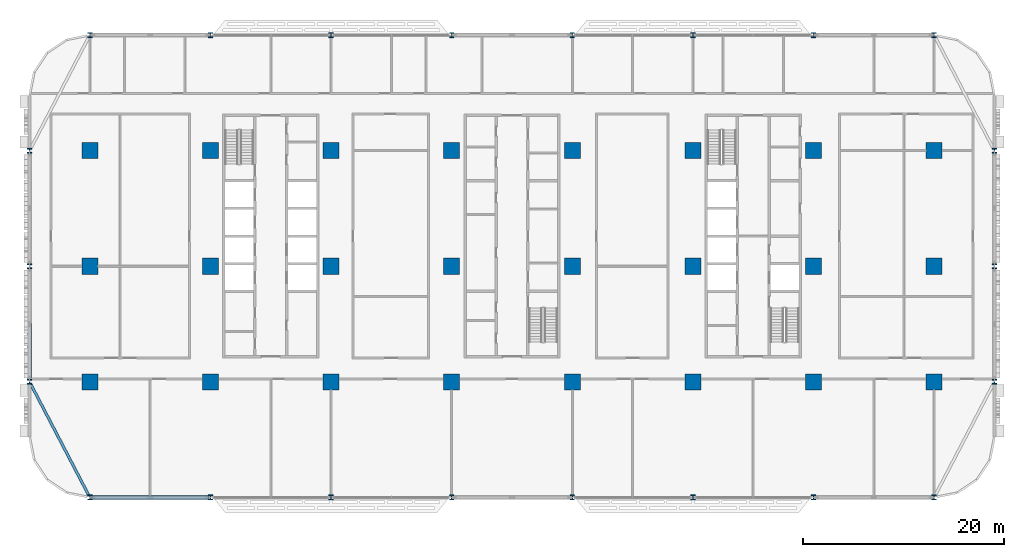
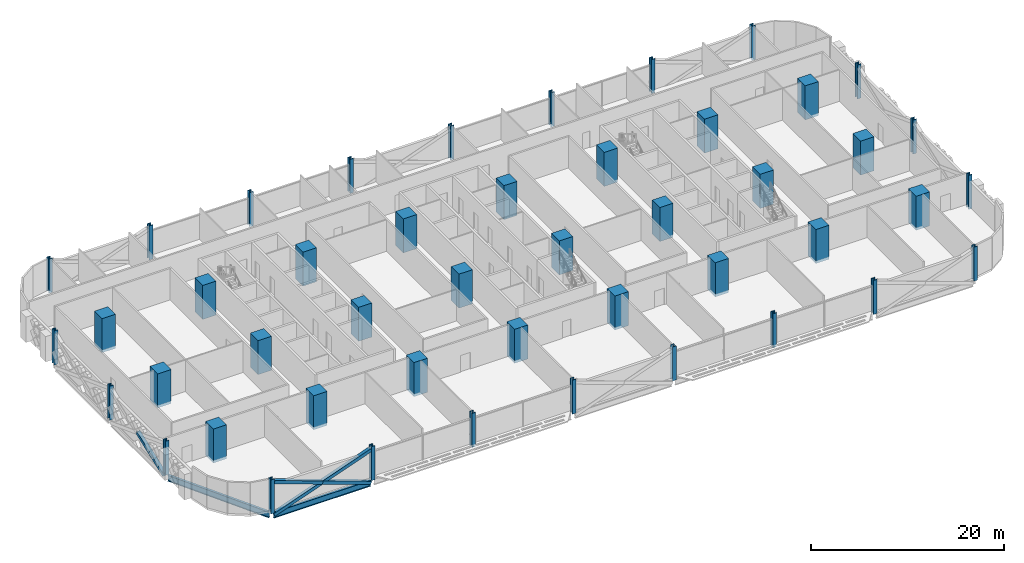
# One storey, part 1 of 28: 46 columns, 4 members, 2 beams.
"""IFC4 building model written with IfcOpenShell, lengths in metres."""

from ifc_helpers import new_model, si_unit, direction, frame, origin, origin_2d, place, context, subcontext, project, spatial, rectangle, hollow_rectangle, i_section, extrude, material, material_profile, profile_set, type_object, element, save


model = new_model("IFC4")

# Units and contexts
model_context = context("Model", 3, precision=1e-05, world=origin(), true_north=direction((0.0, 1.0)))
body_context = subcontext(model_context, "Body", "Model", "MODEL_VIEW")
ifc_project = project(units=[si_unit("LENGTHUNIT", "METRE"), si_unit("AREAUNIT", "SQUARE_METRE"), si_unit("VOLUMEUNIT", "CUBIC_METRE"), si_unit("PLANEANGLEUNIT", "RADIAN"), si_unit("MASSUNIT", "GRAM", prefix="KILO")], contexts=[model_context])

# Site, building, storey
site_placement = place(None, origin())
site = spatial("IfcSite", under=ifc_project, at=site_placement, CompositionType="ELEMENT")
building_placement = place(site_placement, origin())
building = spatial("IfcBuilding", under=site, at=building_placement, Name="Mahtab Terrace Research Tower", CompositionType="ELEMENT")
storey_placement = place(building_placement, frame((0.0, 0.0, 33.0)))
storey = spatial("IfcBuildingStorey", under=building, at=storey_placement, Name="L07", CompositionType="ELEMENT", Elevation=33.0)

# Columns
ifc_material_1 = material(Name="Concrete C70/85", Category="concrete")
ifc_material_profile_1 = material_profile(ifc_material_1, rectangle(XDim=1.60009765625, YDim=1.60009765625, at=origin_2d()), Name="RC column 1600x1600")
ifc_profile_set_1 = profile_set([ifc_material_profile_1], Name="Concrete C70/85")
column_type_1 = type_object("IfcColumnType", Name="RC column 1600x1600", PredefinedType="COLUMN", material=ifc_profile_set_1)
for number, where, z_axis, x_axis, name in (
    (1, (-42.0, -11.5, -0.340087890625), (0.0, 0.0, 1.0), (1.0, 0.0, 0.0), "Column RC-1A L07"),
    (2, (-42.0, 0.0, -0.340087890625), (0.0, 0.0, 1.0), (1.0, 0.0, 0.0), "Column RC-1B L07"),
    (3, (-42.0, 11.5, -0.340087890625), (0.0, 0.0, 1.0), (1.0, 0.0, 0.0), "Column RC-1C L07"),
    (4, (-30.0, -11.5, -0.340087890625), (0.0, 0.0, 1.0), (1.0, 0.0, 0.0), "Column RC-2A L07"),
    (5, (-30.0, 0.0, -0.340087890625), (0.0, 0.0, 1.0), (1.0, 0.0, 0.0), "Column RC-2B L07"),
    (6, (-30.0, 11.5, -0.340087890625), (0.0, 0.0, 1.0), (1.0, 0.0, 0.0), "Column RC-2C L07"),
    (7, (-18.0, -11.5, -0.340087890625), (0.0, 0.0, 1.0), (1.0, 0.0, 0.0), "Column RC-3A L07"),
    (8, (-18.0, 0.0, -0.340087890625), (0.0, 0.0, 1.0), (1.0, 0.0, 0.0), "Column RC-3B L07"),
    (9, (-18.0, 11.5, -0.340087890625), (0.0, 0.0, 1.0), (1.0, 0.0, 0.0), "Column RC-3C L07"),
    (10, (-6.0, -11.5, -0.340087890625), (0.0, 0.0, 1.0), (1.0, 0.0, 0.0), "Column RC-4A L07"),
    (11, (-6.0, 0.0, -0.340087890625), (0.0, 0.0, 1.0), (1.0, 0.0, 0.0), "Column RC-4B L07"),
    (12, (-6.0, 11.5, -0.340087890625), (0.0, 0.0, 1.0), (1.0, 0.0, 0.0), "Column RC-4C L07"),
    (13, (6.0, -11.5, -0.340087890625), (0.0, 0.0, 1.0), (1.0, 0.0, 0.0), "Column RC-5A L07"),
    (14, (6.0, 0.0, -0.340087890625), (0.0, 0.0, 1.0), (1.0, 0.0, 0.0), "Column RC-5B L07"),
    (15, (6.0, 11.5, -0.340087890625), (0.0, 0.0, 1.0), (1.0, 0.0, 0.0), "Column RC-5C L07"),
    (16, (18.0, -11.5, -0.340087890625), (0.0, 0.0, 1.0), (1.0, 0.0, 0.0), "Column RC-6A L07"),
    (17, (18.0, 0.0, -0.340087890625), (0.0, 0.0, 1.0), (1.0, 0.0, 0.0), "Column RC-6B L07"),
    (18, (18.0, 11.5, -0.340087890625), (0.0, 0.0, 1.0), (1.0, 0.0, 0.0), "Column RC-6C L07"),
    (19, (30.0, -11.5, -0.340087890625), (0.0, 0.0, 1.0), (1.0, 0.0, 0.0), "Column RC-7A L07"),
    (20, (30.0, 0.0, -0.340087890625), (0.0, 0.0, 1.0), (1.0, 0.0, 0.0), "Column RC-7B L07"),
    (21, (30.0, 11.5, -0.340087890625), (0.0, 0.0, 1.0), (1.0, 0.0, 0.0), "Column RC-7C L07"),
    (22, (42.0, -11.5, -0.340087890625), (0.0, 0.0, 1.0), (1.0, 0.0, 0.0), "Column RC-8A L07"),
    (23, (42.0, 0.0, -0.340087890625), (0.0, 0.0, 1.0), (1.0, 0.0, 0.0), "Column RC-8B L07"),
    (24, (42.0, 11.5, -0.340087890625), (0.0, 0.0, 1.0), (1.0, 0.0, 0.0), "Column RC-8C L07"),
):
    element("IfcColumn", number, at=place(storey_placement, frame(where, z_axis=z_axis, x_axis=x_axis)), inside=storey, type_object=column_type_1, Name=name, PredefinedType="COLUMN", context=body_context, shape_type="SweptSolid", body=[
        extrude(rectangle(XDim=1.60009765625, YDim=1.60009765625, at=origin_2d()), origin(), (0.0, 0.0, 1.0), 4.300048828125),
    ])
ifc_material_2 = material(Name="Steel ASTM A992 Gr 50", Category="steel")
ifc_material_profile_2 = material_profile(ifc_material_2, i_section(OverallWidth=0.431884765625, OverallDepth=0.497802734375, WebThickness=0.0556640625, FlangeThickness=0.0888671875, at=origin_2d()), Name="W14X500")
ifc_profile_set_2 = profile_set([ifc_material_profile_2], Name="Steel ASTM A992 Gr 50")
column_type_2 = type_object("IfcColumnType", Name="W14x500 column CS14500", PredefinedType="COLUMN", material=ifc_profile_set_2)
for number, where, z_axis, x_axis, name in (
    (25, (42.0, 23.0, -0.340087890625), (0.0, 0.0, 1.0), (1.0, 0.0, 0.0), "Column SC-001 L07"),
    (26, (30.0, 23.0, -0.340087890625), (0.0, 0.0, 1.0), (1.0, 0.0, 0.0), "Column SC-002 L07"),
    (27, (18.0, 23.0, -0.340087890625), (0.0, 0.0, 1.0), (1.0, 0.0, 0.0), "Column SC-003 L07"),
    (28, (6.0, 23.0, -0.340087890625), (0.0, 0.0, 1.0), (1.0, 0.0, 0.0), "Column SC-004 L07"),
    (29, (-6.0, 23.0, -0.340087890625), (0.0, 0.0, 1.0), (1.0, 0.0, 0.0), "Column SC-005 L07"),
    (30, (-18.0, 23.0, -0.340087890625), (0.0, 0.0, 1.0), (1.0, 0.0, 0.0), "Column SC-006 L07"),
    (31, (-30.0, 23.0, -0.340087890625), (0.0, 0.0, 1.0), (1.0, 0.0, 0.0), "Column SC-007 L07"),
    (32, (-42.0, 23.0, -0.340087890625), (0.0, 0.0, 1.0), (1.0, 0.0, 0.0), "Column SC-008 L07"),
    (33, (-48.0, 11.5, -0.340087890625), (0.0, 0.0, 1.0), (1.0, 0.0, 0.0), "Column SC-009 L07"),
    (34, (-48.0, 0.0, -0.340087890625), (0.0, 0.0, 1.0), (1.0, 0.0, 0.0), "Column SC-010 L07"),
    (35, (-48.0, -11.5, -0.340087890625), (0.0, 0.0, 1.0), (1.0, 0.0, 0.0), "Column SC-011 L07"),
    (36, (-42.0, -23.0, -0.340087890625), (0.0, 0.0, 1.0), (1.0, 0.0, 0.0), "Column SC-012 L07"),
    (37, (-30.0, -23.0, -0.340087890625), (0.0, 0.0, 1.0), (1.0, 0.0, 0.0), "Column SC-013 L07"),
    (38, (-18.0, -23.0, -0.340087890625), (0.0, 0.0, 1.0), (1.0, 0.0, 0.0), "Column SC-014 L07"),
    (39, (-6.0, -23.0, -0.340087890625), (0.0, 0.0, 1.0), (1.0, 0.0, 0.0), "Column SC-015 L07"),
    (40, (6.0, -23.0, -0.340087890625), (0.0, 0.0, 1.0), (1.0, 0.0, 0.0), "Column SC-016 L07"),
    (41, (18.0, -23.0, -0.340087890625), (0.0, 0.0, 1.0), (1.0, 0.0, 0.0), "Column SC-017 L07"),
    (42, (30.0, -23.0, -0.340087890625), (0.0, 0.0, 1.0), (1.0, 0.0, 0.0), "Column SC-018 L07"),
    (43, (42.0, -23.0, -0.340087890625), (0.0, 0.0, 1.0), (1.0, 0.0, 0.0), "Column SC-019 L07"),
    (44, (48.0, -11.5, -0.340087890625), (0.0, 0.0, 1.0), (1.0, 0.0, 0.0), "Column SC-020 L07"),
    (45, (48.0, 0.0, -0.340087890625), (0.0, 0.0, 1.0), (1.0, 0.0, 0.0), "Column SC-021 L07"),
    (46, (48.0, 11.5, -0.340087890625), (0.0, 0.0, 1.0), (1.0, 0.0, 0.0), "Column SC-022 L07"),
):
    element("IfcColumn", number, at=place(storey_placement, frame(where, z_axis=z_axis, x_axis=x_axis)), inside=storey, type_object=column_type_2, Name=name, PredefinedType="COLUMN", context=body_context, shape_type="SweptSolid", body=[
        extrude(i_section(OverallWidth=0.431884765625, OverallDepth=0.497802734375, WebThickness=0.0556640625, FlangeThickness=0.0888671875, at=origin_2d()), origin(), (0.0, 0.0, 1.0), 4.300048828125),
    ])

# Members
ifc_material_3 = material(Name="Steel ASTM A500 Gr C", Category="steel")
ifc_material_profile_3 = material_profile(ifc_material_3, hollow_rectangle(XDim=0.406494140625, YDim=0.406494140625, WallThickness=0.01904296875, at=origin_2d()), Name="HSS16X16X3/4")
ifc_profile_set_3 = profile_set([ifc_material_profile_3], Name="Steel ASTM A500 Gr C")
member_type = type_object("IfcMemberType", Name="HSS 16x16x3/4 brace XB161634", PredefinedType="BRACE", material=ifc_profile_set_3)
member_1_placement = place(storey_placement, frame((-48.0, -11.251220703125, -0.62548828125), z_axis=(0.0, 0.936655054788, 0.350253206038), x_axis=(-1.0, 0.0, 0.0)))
element("IfcMember", 47, at=member_1_placement, inside=storey, type_object=member_type, Name="Exoskeleton brace L07 10 b1", PredefinedType="BRACE", context=body_context, shape_type="SweptSolid", body=[
    extrude(hollow_rectangle(XDim=0.406494140625, YDim=0.406494140625, WallThickness=0.01904296875, at=origin_2d()), origin(), (0.0, 0.0, 1.0), 5.873291015625),
])
member_2_placement = place(storey_placement, frame((-41.7841796875, -23.0, -0.64111328125), z_axis=(0.941388097231, 0.0, 0.337325436917), x_axis=(0.0, 1.0, 0.0)))
element("IfcMember", 48, at=member_2_placement, inside=storey, type_object=member_type, Name="Exoskeleton brace L07 12 a", PredefinedType="BRACE", context=body_context, shape_type="SweptSolid", body=[
    extrude(hollow_rectangle(XDim=0.406494140625, YDim=0.406494140625, WallThickness=0.01904296875, at=origin_2d()), origin(), (0.0, 0.0, 1.0), 12.28857421875),
])
for number, where, z_axis, x_axis, name in (
    (49, (-30.2158203125, -23.0, -0.64111328125), (-0.941381788192, 0.0, 0.337343043295), (0.0, -1.0, 0.0), "Exoskeleton brace L07 12 b1"),
    (50, (-36.0, -23.0, 1.431640625), (-0.941394406025, 0.0, 0.337307830185), (0.0, -1.0, 0.0), "Exoskeleton brace L07 12 b2"),
):
    element("IfcMember", number, at=place(storey_placement, frame(where, z_axis=z_axis, x_axis=x_axis)), inside=storey, type_object=member_type, Name=name, PredefinedType="BRACE", context=body_context, shape_type="SweptSolid", body=[
        extrude(hollow_rectangle(XDim=0.406494140625, YDim=0.406494140625, WallThickness=0.01904296875, at=origin_2d()), origin(), (0.0, 0.0, 1.0), 6.144287109375),
    ])

# Beams
ifc_material_profile_4 = material_profile(ifc_material_2, i_section(OverallWidth=0.2666015625, OverallDepth=0.7568359375, WebThickness=0.013916015625, FlangeThickness=0.019287109375, at=origin_2d()), Name="W30X108")
ifc_profile_set_4 = profile_set([ifc_material_profile_4], Name="Steel ASTM A992 Gr 50")
beam_type = type_object("IfcBeamType", Name="W30x108 beam BS30108", PredefinedType="BEAM", material=ifc_profile_set_4)
beam_1_placement = place(storey_placement, frame((-47.8701171875, -11.748779296875, -0.718505859375), z_axis=(0.462555249274, -0.88659045865, 0.0), x_axis=(0.88659045865, 0.462555249274, 0.0)))
element("IfcBeam", 51, at=beam_1_placement, inside=storey, type_object=beam_type, Name="Spandrel beam L07 11", PredefinedType="BEAM", context=body_context, shape_type="SweptSolid", body=[
    extrude(i_section(OverallWidth=0.2666015625, OverallDepth=0.7568359375, WebThickness=0.013916015625, FlangeThickness=0.019287109375, at=origin_2d()), origin(), (0.0, 0.0, 1.0), 12.409912109375),
])
beam_2_placement = place(storey_placement, frame((-41.7841796875, -23.0, -0.718505859375), z_axis=(1.0, 0.0, 0.0), x_axis=(0.0, 1.0, 0.0)))
element("IfcBeam", 52, at=beam_2_placement, inside=storey, type_object=beam_type, Name="Spandrel beam L07 12", PredefinedType="BEAM", context=body_context, shape_type="SweptSolid", body=[
    extrude(i_section(OverallWidth=0.2666015625, OverallDepth=0.7568359375, WebThickness=0.013916015625, FlangeThickness=0.019287109375, at=origin_2d()), origin(), (0.0, 0.0, 1.0), 11.568359375),
])

save(model, "model.ifc")
